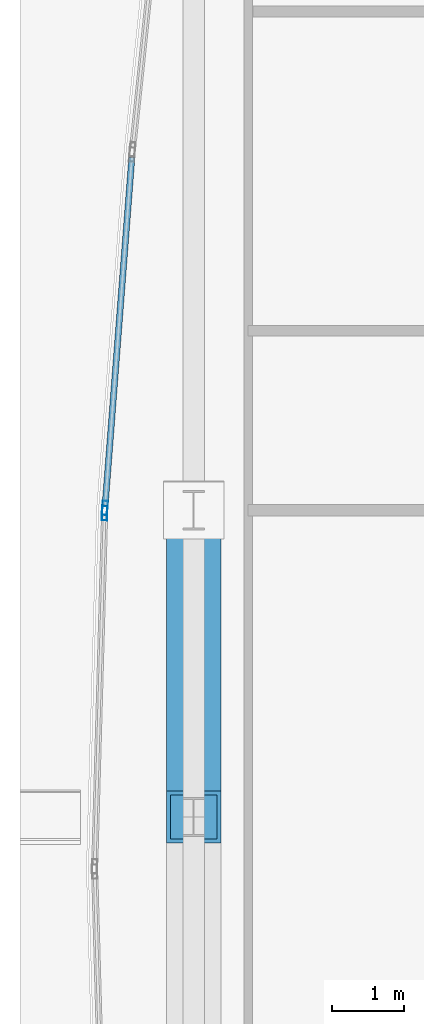
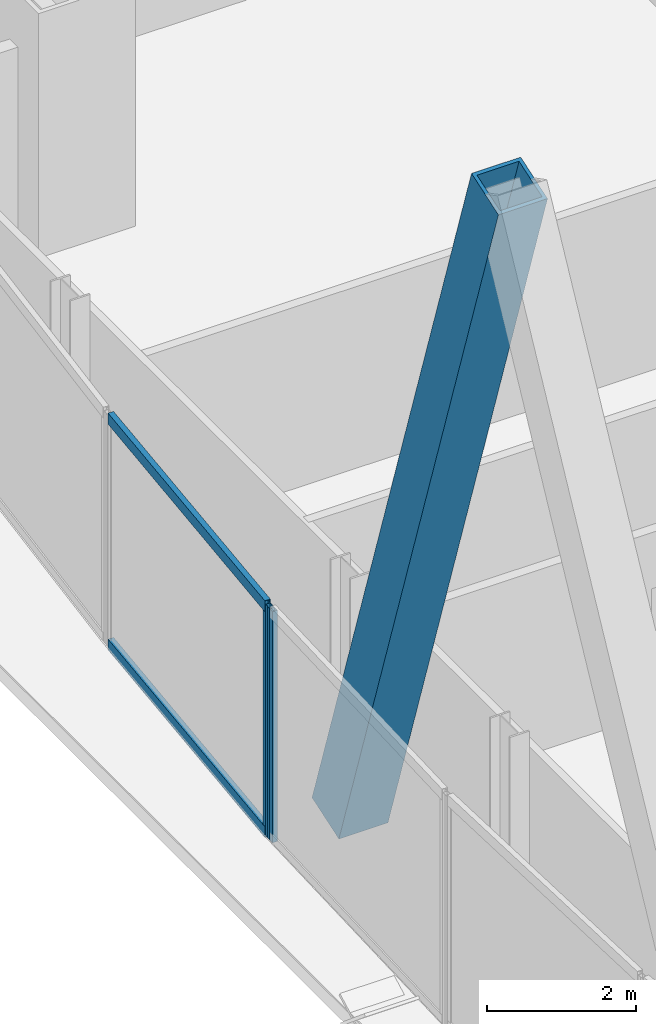
# One storey, part 10 of 32: 5 members, 2 elements without a shape of their own.
"""IFC4 building model written with IfcOpenShell, lengths in metres."""

import ifcopenshell
import ifcopenshell.guid

model = None  # the IFC model being written
_history = None  # IfcOwnerHistory: only IFC2X3 demands one
_inside = {}  # id of a spatial element -> (the spatial element, [elements in it])
_under = {}  # id of a project, library or spatial element -> (it, [spatial elements below it])
_declared = {}  # id of a project -> (the project, [libraries it declares])
_typed = {}  # id of a type object -> (the type object, [elements of that type])
_made_of = {}  # id of a material, layer set ... -> (it, [elements and type objects made of it])


def new_model(schema):
    """Start an empty IFC model of exactly this schema.

    Asked for "IFC4X3", IfcOpenShell would pick the latest addendum, in which some entities
    have other attributes; the version numbers below select the first issue.
    IFC2X3 requires an IfcOwnerHistory on every rooted entity: one is made here for all.
    """
    global model, _history
    if schema == "IFC4X3":
        model = ifcopenshell.file(schema_version=(4, 3, 0, 0))
    else:
        model = ifcopenshell.file(schema=schema)
    _inside.clear()
    _under.clear()
    _declared.clear()
    _typed.clear()
    _made_of.clear()
    _history = None
    if model.schema == "IFC2X3":
        org = make("IfcOrganization", Name="unknown")
        user = make(
            "IfcPersonAndOrganization",
            ThePerson=make("IfcPerson", FamilyName="unknown"),
            TheOrganization=org,
        )
        app = make(
            "IfcApplication",
            ApplicationDeveloper=org,
            Version="unknown",
            ApplicationFullName="unknown",
            ApplicationIdentifier="unknown",
        )
        _history = make(
            "IfcOwnerHistory",
            OwningUser=user,
            OwningApplication=app,
            ChangeAction="ADDED",
            CreationDate=0,
        )
    return model


def make(cls, **values):
    """One entity of the class cls with the attributes given. An attribute that is None is left unset."""
    return model.create_entity(
        cls, **{name: value for name, value in values.items() if value is not None}
    )


def rooted(cls, **values):
    """An entity with a GlobalId (a new one), such as an element, a storey or a relation."""
    return make(cls, GlobalId=ifcopenshell.guid.new(), OwnerHistory=_history, **values)


def si_unit(unit_type, name, prefix=None):
    """IfcSIUnit, for example si_unit("LENGTHUNIT", "METRE", prefix="MILLI")."""
    return make("IfcSIUnit", UnitType=unit_type, Prefix=prefix, Name=name)


def assignment(units):
    """IfcUnitAssignment: the units of a project."""
    return None if units is None else make("IfcUnitAssignment", Units=units)


def point(xyz):
    """IfcCartesianPoint."""
    return None if xyz is None else make("IfcCartesianPoint", Coordinates=xyz)


def direction(xyz):
    """IfcDirection."""
    return None if xyz is None else make("IfcDirection", DirectionRatios=xyz)


def frame(location, z_axis=None, x_axis=None):
    """IfcAxis2Placement3D, a coordinate frame: its origin and axes. An axis left out is left unset."""
    return make(
        "IfcAxis2Placement3D",
        Location=point(location),
        Axis=direction(z_axis),
        RefDirection=direction(x_axis),
    )


def frame_2d(location, x_axis=None):
    """IfcAxis2Placement2D, a coordinate frame in the plane: its origin and x axis."""
    return make(
        "IfcAxis2Placement2D", Location=point(location), RefDirection=direction(x_axis)
    )


def origin():
    """The frame at (0, 0, 0) with its axes left unset."""
    return frame((0.0, 0.0, 0.0))


def origin_2d():
    """The frame at (0, 0) in the plane with its x axis left unset."""
    return frame_2d((0.0, 0.0))


def place(relative_to, where):
    """IfcLocalPlacement: puts the frame where relative to a parent placement (None: the world)."""
    return make(
        "IfcLocalPlacement", PlacementRelTo=relative_to, RelativePlacement=where
    )


def context(
    kind, dimensions, precision=None, world=None, true_north=None, identifier=None
):
    """IfcGeometricRepresentationContext, for example the 3D "Model" context."""
    return make(
        "IfcGeometricRepresentationContext",
        ContextIdentifier=identifier,
        ContextType=kind,
        CoordinateSpaceDimension=dimensions,
        Precision=precision,
        WorldCoordinateSystem=world,
        TrueNorth=true_north,
    )


def subcontext(parent, identifier, kind, view, scale=None):
    """IfcGeometricRepresentationSubContext, for example "Body" below "Model"."""
    return make(
        "IfcGeometricRepresentationSubContext",
        ContextIdentifier=identifier,
        ContextType=kind,
        ParentContext=parent,
        TargetScale=scale,
        TargetView=view,
    )


def project(units=None, contexts=None):
    """IfcProject with its units and contexts."""
    return rooted(
        "IfcProject",
        Name="project",
        RepresentationContexts=contexts,
        UnitsInContext=assignment(units),
    )


def spatial(cls, under=None, at=None, **own):
    """A site, building, storey or space (cls), placed at a placement, below another one or the project."""
    s = rooted(cls, ObjectPlacement=at, **own)
    if under is not None:
        _under.setdefault(under.id(), (under, []))[1].append(s)
    return s


def profile(cls, at=None, kind="AREA", **sizes):
    """A parametric profile (cls). Its sizes go by their IFC names, for example OverallWidth=200.0."""
    return make(cls, ProfileType=kind, Position=at, **sizes)


def hollow_rectangle(**sizes):
    """IfcRectangleHollowProfileDef."""
    return profile("IfcRectangleHollowProfileDef", **sizes)


def extrude(swept, where, along, depth):
    """IfcExtrudedAreaSolid: the profile swept, set in the frame where, extruded along a direction by depth."""
    return make(
        "IfcExtrudedAreaSolid",
        SweptArea=swept,
        Position=where,
        ExtrudedDirection=direction(along),
        Depth=depth,
    )


def shape(context_of_items, identifier, shape_type, items):
    """IfcShapeRepresentation: the items that make up one representation, for example the "Body"."""
    return make(
        "IfcShapeRepresentation",
        ContextOfItems=context_of_items,
        RepresentationIdentifier=identifier,
        RepresentationType=shape_type,
        Items=items,
    )


def material(Name=None, Category=None):
    """IfcMaterial."""
    return make("IfcMaterial", Name=Name, Category=Category)


def material_profile(
    of_material, cross_section, Name=None, Category=None, Priority=None
):
    """IfcMaterialProfile: a cross section and its material."""
    return make(
        "IfcMaterialProfile",
        Name=Name,
        Material=of_material,
        Profile=cross_section,
        Priority=Priority,
        Category=Category,
    )


def profile_set(profiles, Name=None, composite=None):
    """IfcMaterialProfileSet."""
    return make(
        "IfcMaterialProfileSet",
        Name=Name,
        MaterialProfiles=profiles,
        CompositeProfile=composite,
    )


def made_of(thing, what):
    """Note that an element or type object is made of a material, layer set ...; save() writes the relation."""
    if what is not None:
        _made_of.setdefault(what.id(), (what, []))[1].append(thing)
    return thing


def type_object(cls, material=None, **own):
    """A type object (cls), such as IfcWallType, which elements share."""
    return made_of(rooted(cls, **own), material)


def element(
    cls,
    number,
    at=None,
    inside=None,
    cuts=None,
    type_object=None,
    material=None,
    context=None,
    identifier="Body",
    shape_type=None,
    held_by="IfcProductDefinitionShape",
    body=None,
    shapes=None,
    **own,
):
    """One element of the class cls, such as IfcWall. Its Tag is "e" and its number.

    at: its placement. inside: the storey or other place that contains it. cuts: it is an
    opening in that element (IfcRelVoidsElement). A single representation is given by context,
    identifier, shape_type and body (its items); several are given by shapes. held_by: the class
    of the entity that holds the representations. save() writes the other relations.
    """
    e = rooted(cls, Tag="e%d" % number, ObjectPlacement=at, **own)
    if body is not None:
        shapes = [shape(context, identifier, shape_type, body)]
    if shapes is not None:
        e.Representation = make(held_by, Representations=shapes)
    if inside is not None:
        _inside.setdefault(inside.id(), (inside, []))[1].append(e)
    if cuts is not None:
        rooted(
            "IfcRelVoidsElement", RelatingBuildingElement=cuts, RelatedOpeningElement=e
        )
    if type_object is not None:
        _typed.setdefault(type_object.id(), (type_object, []))[1].append(e)
    return made_of(e, material)


def aggregate(whole, parts):
    """IfcRelAggregates: a whole, such as a stair, and the parts it consists of."""
    return rooted("IfcRelAggregates", RelatingObject=whole, RelatedObjects=parts)


def save(model, path):
    """Write the relations noted so far, then the file.

    IfcRelAggregates (storeys below a building ...), IfcRelContainedInSpatialStructure (elements
    in a storey), IfcRelDefinesByType, IfcRelAssociatesMaterial and IfcRelDeclares: one each for
    every whole, place, type object, material and project.
    """
    for whole, parts in _under.values():
        aggregate(whole, parts)
    for where, things in _inside.values():
        rooted(
            "IfcRelContainedInSpatialStructure",
            RelatedElements=things,
            RelatingStructure=where,
        )
    for kind, things in _typed.values():
        rooted("IfcRelDefinesByType", RelatedObjects=things, RelatingType=kind)
    for what, things in _made_of.values():
        rooted("IfcRelAssociatesMaterial", RelatedObjects=things, RelatingMaterial=what)
    for by, libraries in _declared.values():
        rooted("IfcRelDeclares", RelatingContext=by, RelatedDefinitions=libraries)
    model.write(path)


model = new_model("IFC4")

# Units and contexts
model_context = context("Model", 3, precision=1e-05, world=origin(), true_north=direction((0.0, 1.0)))
body_context = subcontext(model_context, "Body", "Model", "MODEL_VIEW")
ifc_project = project(units=[si_unit("LENGTHUNIT", "METRE"), si_unit("AREAUNIT", "SQUARE_METRE"), si_unit("VOLUMEUNIT", "CUBIC_METRE"), si_unit("PLANEANGLEUNIT", "RADIAN"), si_unit("MASSUNIT", "GRAM", prefix="KILO")], contexts=[model_context])

# Site, building, storey
site_placement = place(None, origin())
site = spatial("IfcSite", under=ifc_project, at=site_placement, CompositionType="ELEMENT")
building_placement = place(site_placement, origin())
building = spatial("IfcBuilding", under=site, at=building_placement, Name="Khoronbel Lancet Exchange", CompositionType="ELEMENT")
storey_placement = place(building_placement, frame((0.0, 0.0, 81.800048828125)))
storey = spatial("IfcBuildingStorey", under=building, at=storey_placement, Name="L19", CompositionType="ELEMENT", Elevation=81.800048828125)

# Curtain wall, member
ifc_material_1 = material(Name="Low-E Solar Control Insulating Glass", Category="glass")
curtain_wall_type = type_object("IfcCurtainWallType", Name="CW-4", PredefinedType="NOTDEFINED", material=ifc_material_1)
curtain_wall_1_placement = place(storey_placement, origin())
curtain_wall_1 = element("IfcCurtainWall", 1, at=curtain_wall_1_placement, inside=storey, type_object=curtain_wall_type, Name="Unitised curtain wall CW-L19-E07", PredefinedType="NOTDEFINED")
ifc_material_2 = material(Name="Bronze-Anodised Aluminium 6063-T6", Category="aluminium")
ifc_material_profile_1 = material_profile(ifc_material_2, hollow_rectangle(XDim=0.074951171875, YDim=0.199951171875, WallThickness=0.0048828125, at=origin_2d()), Name="ALU MULLION 75x200")
ifc_profile_set_1 = profile_set([ifc_material_profile_1], Name="Bronze-Anodised Aluminium 6063-T6")
member_type_1 = type_object("IfcMemberType", Name="MEM-CWM2", PredefinedType="MULLION", material=ifc_profile_set_1)
member_1_placement = place(storey_placement, frame((2.029541015625, 35.65771484375, 0.0), z_axis=(0.0, 0.0, 1.0), x_axis=(-0.999604123662, 0.028135315146, 0.0)))
member_1 = element("IfcMember", 2, at=member_1_placement, type_object=member_type_1, Name="CW4 mullion 2", PredefinedType="MULLION", context=body_context, shape_type="SweptSolid", body=[
    extrude(hollow_rectangle(XDim=0.074951171875, YDim=0.199951171875, WallThickness=0.0048828125, at=origin_2d()), origin(), (0.0, 0.0, 1.0), 3.780029296875),
])
aggregate(curtain_wall_1, [member_1])

# Curtain wall, members
curtain_wall_2_placement = place(storey_placement, origin())
curtain_wall_2 = element("IfcCurtainWall", 3, at=curtain_wall_2_placement, inside=storey, type_object=curtain_wall_type, Name="Unitised curtain wall CW-L19-E08", PredefinedType="NOTDEFINED")
member_2_placement = place(storey_placement, frame((2.033447265625, 35.732666015625, 0.0), z_axis=(0.0, 0.0, 1.0), x_axis=(-0.997059882555, 0.076626304874, 0.0)))
member_2 = element("IfcMember", 4, at=member_2_placement, type_object=member_type_1, Name="CW4 mullion 1", PredefinedType="MULLION", context=body_context, shape_type="SweptSolid", body=[
    extrude(hollow_rectangle(XDim=0.074951171875, YDim=0.199951171875, WallThickness=0.0048828125, at=origin_2d()), origin(), (0.0, 0.0, 1.0), 3.780029296875),
])
ifc_material_profile_2 = material_profile(ifc_material_2, hollow_rectangle(XDim=0.0849609375, YDim=0.179931640625, WallThickness=0.0048828125, at=origin_2d()), Name="ALU TRANSOM 85x180")
ifc_profile_set_2 = profile_set([ifc_material_profile_2], Name="Bronze-Anodised Aluminium 6063-T6")
member_type_2 = type_object("IfcMemberType", Name="MEM-CWT1", PredefinedType="USERDEFINED", material=ifc_profile_set_2)
member_3_placement = place(storey_placement, frame((2.036376953125, 35.77001953125, 0.04248046875), z_axis=(0.076635053626, 0.997059210155, 0.0), x_axis=(-0.997059210155, 0.076635053626, 0.0)))
member_3 = element("IfcMember", 5, at=member_3_placement, type_object=member_type_2, Name="CW4 transom 1.1", ObjectType="TRANSOM", PredefinedType="USERDEFINED", context=body_context, shape_type="SweptSolid", body=[
    extrude(hollow_rectangle(XDim=0.0849609375, YDim=0.179931640625, WallThickness=0.0048828125, at=origin_2d()), origin(), (0.0, 0.0, 1.0), 4.861572265625),
])
member_4_placement = place(storey_placement, frame((2.036376953125, 35.77001953125, 3.737548828125), z_axis=(0.076635053626, 0.997059210155, 0.0), x_axis=(-0.997059210155, 0.076635053626, 0.0)))
member_4 = element("IfcMember", 6, at=member_4_placement, type_object=member_type_2, Name="CW4 transom 1.2", ObjectType="TRANSOM", PredefinedType="USERDEFINED", context=body_context, shape_type="SweptSolid", body=[
    extrude(hollow_rectangle(XDim=0.0849609375, YDim=0.179931640625, WallThickness=0.0048828125, at=origin_2d()), origin(), (0.0, 0.0, 1.0), 4.861572265625),
])
aggregate(curtain_wall_2, [member_2, member_3, member_4])

# Member
ifc_material_3 = material(Name="Steel S460", Category="steel")
ifc_material_profile_3 = material_profile(ifc_material_3, hollow_rectangle(XDim=0.760009765625, YDim=0.760009765625, WallThickness=0.054931640625, at=origin_2d()), Name="BOX 760x760x55")
ifc_profile_set_3 = profile_set([ifc_material_profile_3], Name="Steel S460")
member_type_3 = type_object("IfcMemberType", Name="MEM-MB1", PredefinedType="BRACE", material=ifc_profile_set_3)
member_5_placement = place(storey_placement, frame((3.27001953125, 35.699951171875, 0.0), z_axis=(0.0, -0.316775874793, 0.948500419161), x_axis=(1.0, 0.0, 0.0)))
element("IfcMember", 7, at=member_5_placement, inside=storey, type_object=member_type_3, Name="Perimeter lancet brace tier 6 W-P-R", PredefinedType="BRACE", context=body_context, shape_type="SweptSolid", body=[
    extrude(hollow_rectangle(XDim=0.760009765625, YDim=0.760009765625, WallThickness=0.054931640625, at=origin_2d()), origin(), (0.0, 0.0, 1.0), 13.4951171875),
])

save(model, "model.ifc")
